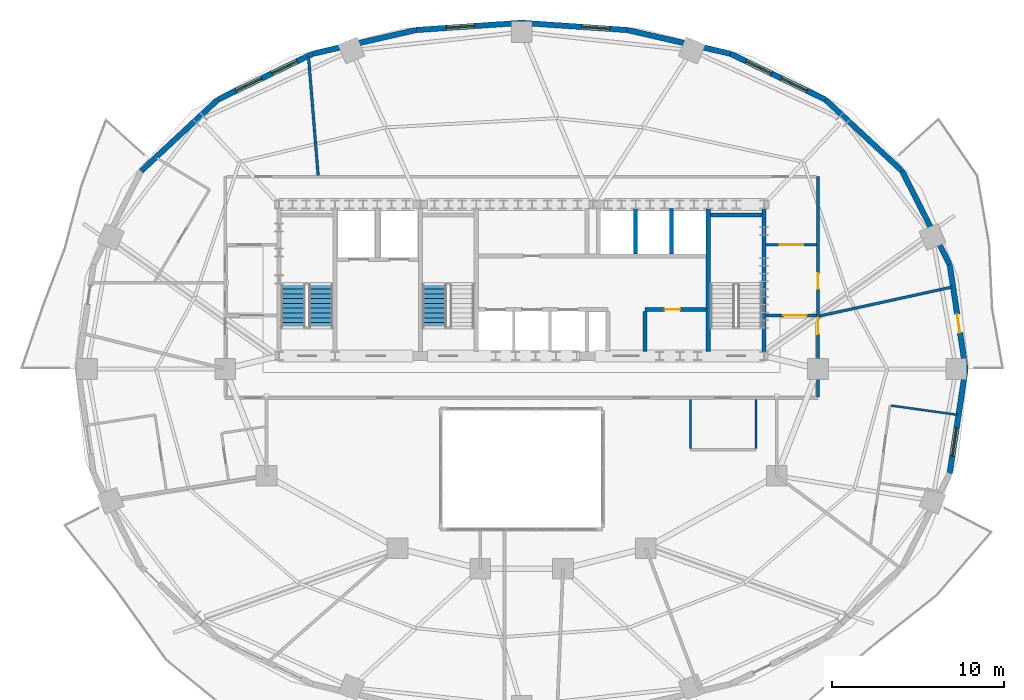
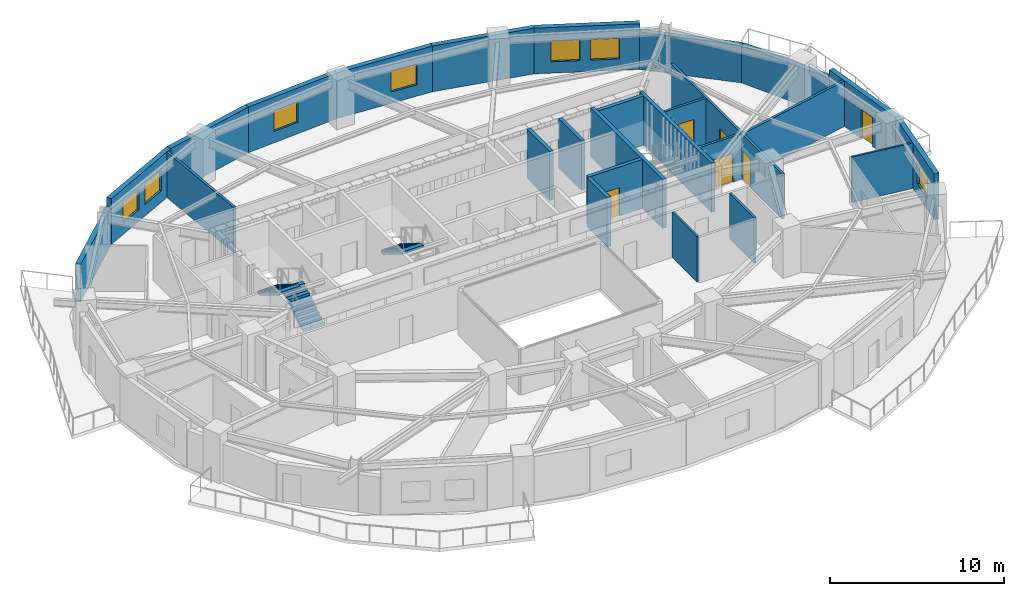
# One storey, part 8 of 12: 26 walls, 7 windows, 6 doors, 3 stair flights, 13 openings, 2 elements without a shape of their own.
"""IFC4 building model written with IfcOpenShell, lengths in metres."""

from ifc_helpers import new_model, si_unit, direction, frame, frame_2d, origin, place, context, subcontext, project, spatial, polyline, rectangle, outline, extrude, material, layer, layer_set, type_object, element, fill, aggregate, save


model = new_model("IFC4")

# Units and contexts
model_context = context("Model", 3, precision=1e-05, world=origin(), true_north=direction((0.0, 1.0)))
body_context = subcontext(model_context, "Body", "Model", "MODEL_VIEW")
ifc_project = project(units=[si_unit("LENGTHUNIT", "METRE"), si_unit("AREAUNIT", "SQUARE_METRE"), si_unit("VOLUMEUNIT", "CUBIC_METRE"), si_unit("PLANEANGLEUNIT", "RADIAN"), si_unit("MASSUNIT", "GRAM", prefix="KILO")], contexts=[model_context])

# Site, building, storey
site_placement = place(None, origin())
site = spatial("IfcSite", under=ifc_project, at=site_placement, CompositionType="ELEMENT")
building_placement = place(site_placement, origin())
building = spatial("IfcBuilding", under=site, at=building_placement, Name="Haldorwick Loom Tower", CompositionType="ELEMENT")
storey_placement = place(building_placement, frame((0.0, 0.0, 161.35009765625)))
storey = spatial("IfcBuildingStorey", under=building, at=storey_placement, Name="L43", CompositionType="ELEMENT", Elevation=161.35009765625)

# Wall, opening, door
ifc_material_1 = material(Name="Pressed Clay Face Brick and Insulated Masonry Backup Assembly", Category="masonry")
ifc_layer_1 = layer(ifc_material_1, 0.320068359375, Name="Pressed Clay Face Brick and Insulated Masonry Backup Assembly", Category="masonry")
ifc_layer_set_1 = layer_set([ifc_layer_1], Name="Pressed Clay Face Brick and Insulated Masonry Backup Assembly")
wall_type_1 = type_object("IfcWallType", Name="ARC-WL-EXT320", PredefinedType="STANDARD", material=ifc_layer_set_1)
wall_1_placement = place(storey_placement, frame((61.757080078125, 26.0, 0.0), z_axis=(0.0, 0.0, 1.0), x_axis=(-0.150544467684, 0.988603238539, 0.0)))
wall_1 = element("IfcWall", 1, at=wall_1_placement, inside=storey, type_object=wall_type_1, Name="L43 Brick Pier and Spandrel Wall 1", PredefinedType="STANDARD", context=body_context, shape_type="SweptSolid", body=[
    extrude(rectangle(XDim=6.125244140625, YDim=0.320068359375, at=frame_2d((3.0625, 0.0))), origin(), (0.0, 0.0, 1.0), 3.2099609375),
])
opening_1_placement = place(wall_1_placement, frame((2.1337890625, 0.0, 0.0)))
opening_1 = element("IfcOpeningElement", 2, at=opening_1_placement, cuts=wall_1, Name="Opening D-BL11", PredefinedType="OPENING", context=body_context, shape_type="SweptSolid", body=[
    extrude(rectangle(XDim=1.080078125, YDim=2.0400390625, at=frame_2d((0.5400390625, 1.02001953125))), frame((0.0, 0.169921875, 0.0), z_axis=(0.0, -1.0, 0.0), x_axis=(1.0, 0.0, 0.0)), (0.0, 0.0, 1.0), 0.340087890625),
])
ifc_material_2 = material(Name="Thermally Broken Anodized Aluminium Curtain Wall Framing", Category="aluminium")
door_type_1 = type_object("IfcDoorType", Name="ARC-DR-BAL110", OperationType="NOTDEFINED", PredefinedType="DOOR", material=ifc_material_2)
door_1_placement = place(opening_1_placement, origin())
door_1 = element("IfcDoor", 3, at=door_1_placement, inside=storey, type_object=door_type_1, Name="L43 Outdoor Terrace Door SLB-L43-BAL_ENE", OperationType="SINGLE_SWING_RIGHT", OverallHeight=2.0400390625, OverallWidth=1.080078125, PredefinedType="DOOR", context=body_context, shape_type="SweptSolid", body=[
    extrude(rectangle(XDim=1.080078125, YDim=2.0400390625, at=frame_2d((0.5400390625, 1.02001953125))), frame((0.0, 0.02490234375, 0.0), z_axis=(0.0, -1.0, 0.0), x_axis=(1.0, 0.0, 0.0)), (0.0, 0.0, 1.0), 0.050048828125),
])
fill(opening_1, door_1)

# Walls
wall_2_placement = place(storey_placement, frame((60.8349609375, 32.055419921875, 0.0), z_axis=(0.0, 0.0, 1.0), x_axis=(-0.453172129629, 0.89142303141, 0.0)))
element("IfcWall", 4, at=wall_2_placement, inside=storey, type_object=wall_type_1, Name="L43 Brick Pier and Spandrel Wall 2", PredefinedType="STANDARD", context=body_context, shape_type="SweptSolid", body=[
    extrude(rectangle(XDim=6.086669921875, YDim=0.320068359375, at=frame_2d((3.04345703125, 0.0))), origin(), (0.0, 0.0, 1.0), 2.640869140625),
])
wall_3_placement = place(storey_placement, frame((58.07666015625, 37.481201171875, 0.0), z_axis=(0.0, 0.0, 1.0), x_axis=(-0.732001571644, 0.681302942244, 0.0)))
element("IfcWall", 5, at=wall_3_placement, inside=storey, type_object=wall_type_1, Name="L43 Brick Pier and Spandrel Wall 3", PredefinedType="STANDARD", context=body_context, shape_type="SweptSolid", body=[
    extrude(rectangle(XDim=6.0869140625, YDim=0.320068359375, at=frame_2d((3.04345703125, 0.0))), origin(), (0.0, 0.0, 1.0), 2.640869140625),
])

# Wall, openings, windows
wall_4_placement = place(storey_placement, frame((53.62109375, 41.628173828125, 0.0), z_axis=(0.0, 0.0, 1.0), x_axis=(-0.900472429216, 0.43491309962, 0.0)))
wall_4 = element("IfcWall", 6, at=wall_4_placement, inside=storey, type_object=wall_type_1, Name="L43 Brick Pier and Spandrel Wall 4", PredefinedType="STANDARD", context=body_context, shape_type="SweptSolid", body=[
    extrude(rectangle(XDim=6.1181640625, YDim=0.320068359375, at=frame_2d((3.05908203125, 0.0))), origin(), (0.0, 0.0, 1.0), 3.2099609375),
])
opening_2_placement = place(wall_4_placement, frame((1.181884765625, 0.0, 0.800048828125)))
opening_2 = element("IfcOpeningElement", 7, at=opening_2_placement, cuts=wall_4, Name="Opening W-01B", PredefinedType="OPENING", context=body_context, shape_type="SweptSolid", body=[
    extrude(rectangle(XDim=1.64990234375, YDim=1.449951171875, at=frame_2d((0.824951171875, 0.72509765625))), frame((0.0, 0.169921875, 0.0), z_axis=(0.0, -1.0, 0.0), x_axis=(1.0, 0.0, 0.0)), (0.0, 0.0, 1.0), 0.340087890625),
])
opening_3_placement = place(wall_4_placement, frame((3.4580078125, 0.0, 0.800048828125)))
opening_3 = element("IfcOpeningElement", 8, at=opening_3_placement, cuts=wall_4, Name="Opening W-01B", PredefinedType="OPENING", context=body_context, shape_type="SweptSolid", body=[
    extrude(rectangle(XDim=1.64990234375, YDim=1.449951171875, at=frame_2d((0.824951171875, 0.72509765625))), frame((0.0, 0.169921875, 0.0), z_axis=(0.0, -1.0, 0.0), x_axis=(1.0, 0.0, 0.0)), (0.0, 0.0, 1.0), 0.340087890625),
])
ifc_material_3 = material(Name="Triple-Glazed Low-E Argon Insulated Glazing Unit", Category="glass")
window_type = type_object("IfcWindowType", Name="ARC-WIN-W165", PartitioningType="SINGLE_PANEL", PredefinedType="WINDOW", material=ifc_material_3)
window_1_placement = place(opening_2_placement, origin())
window_1 = element("IfcWindow", 9, at=window_1_placement, inside=storey, type_object=window_type, Name="L43 Deep-Set Zone 7A Window 4", OverallHeight=1.449951171875, OverallWidth=1.64990234375, PartitioningType="SINGLE_PANEL", PredefinedType="WINDOW", context=body_context, shape_type="SweptSolid", body=[
    extrude(rectangle(XDim=1.64990234375, YDim=1.449951171875, at=frame_2d((0.824951171875, 0.72509765625))), frame((0.0, 0.030029296875, 0.0), z_axis=(0.0, -1.0, 0.0), x_axis=(1.0, 0.0, 0.0)), (0.0, 0.0, 1.0), 0.06005859375),
])
fill(opening_2, window_1)
window_2_placement = place(opening_3_placement, origin())
window_2 = element("IfcWindow", 10, at=window_2_placement, inside=storey, type_object=window_type, Name="L43 Deep-Set Zone 7A Window 4", OverallHeight=1.449951171875, OverallWidth=1.64990234375, PartitioningType="SINGLE_PANEL", PredefinedType="WINDOW", context=body_context, shape_type="SweptSolid", body=[
    extrude(rectangle(XDim=1.64990234375, YDim=1.449951171875, at=frame_2d((0.824951171875, 0.72509765625))), frame((0.0, 0.030029296875, 0.0), z_axis=(0.0, -1.0, 0.0), x_axis=(1.0, 0.0, 0.0)), (0.0, 0.0, 1.0), 0.06005859375),
])
fill(opening_3, window_2)

# Wall
wall_5_placement = place(storey_placement, frame((48.11181640625, 44.2890625, 0.0), z_axis=(0.0, 0.0, 1.0), x_axis=(-0.974593223547, 0.223982250674, 0.0)))
element("IfcWall", 11, at=wall_5_placement, inside=storey, type_object=wall_type_1, Name="L43 Brick Pier and Spandrel Wall 5", PredefinedType="STANDARD", context=body_context, shape_type="SweptSolid", body=[
    extrude(rectangle(XDim=6.138916015625, YDim=0.320068359375, at=frame_2d((3.0693359375, 0.0))), origin(), (0.0, 0.0, 1.0), 3.2099609375),
])

# Wall, opening, window
wall_6_placement = place(storey_placement, frame((42.12890625, 45.6640625, 0.0), z_axis=(0.0, 0.0, 1.0), x_axis=(-0.997652942988, 0.068473391522, 0.0)))
wall_6 = element("IfcWall", 12, at=wall_6_placement, inside=storey, type_object=wall_type_1, Name="L43 Brick Pier and Spandrel Wall 6", PredefinedType="STANDARD", context=body_context, shape_type="SweptSolid", body=[
    extrude(rectangle(XDim=6.143310546875, YDim=0.320068359375, at=frame_2d((3.07177734375, 0.0))), origin(), (0.0, 0.0, 1.0), 3.2099609375),
])
opening_4_placement = place(wall_6_placement, frame((1.01806640625, 0.0, 0.800048828125)))
opening_4 = element("IfcOpeningElement", 13, at=opening_4_placement, cuts=wall_6, Name="Opening W-01B", PredefinedType="OPENING", context=body_context, shape_type="SweptSolid", body=[
    extrude(rectangle(XDim=1.64990234375, YDim=1.449951171875, at=frame_2d((0.824951171875, 0.72509765625))), frame((0.0, 0.169921875, 0.0), z_axis=(0.0, -1.0, 0.0), x_axis=(1.0, 0.0, 0.0)), (0.0, 0.0, 1.0), 0.340087890625),
])
window_3_placement = place(opening_4_placement, origin())
window_3 = element("IfcWindow", 14, at=window_3_placement, inside=storey, type_object=window_type, Name="L43 Deep-Set Zone 7A Window 6", OverallHeight=1.449951171875, OverallWidth=1.64990234375, PartitioningType="SINGLE_PANEL", PredefinedType="WINDOW", context=body_context, shape_type="SweptSolid", body=[
    extrude(rectangle(XDim=1.64990234375, YDim=1.449951171875, at=frame_2d((0.824951171875, 0.72509765625))), frame((0.0, 0.030029296875, 0.0), z_axis=(0.0, -1.0, 0.0), x_axis=(1.0, 0.0, 0.0)), (0.0, 0.0, 1.0), 0.06005859375),
])
fill(opening_4, window_3)

wall_7_placement = place(storey_placement, frame((36.0, 46.084716796875, 0.0), z_axis=(0.0, 0.0, 1.0), x_axis=(-0.997652942988, -0.068473391522, 0.0)))
wall_7 = element("IfcWall", 15, at=wall_7_placement, inside=storey, type_object=wall_type_1, Name="L43 Brick Pier and Spandrel Wall 7", PredefinedType="STANDARD", context=body_context, shape_type="SweptSolid", body=[
    extrude(rectangle(XDim=6.143310546875, YDim=0.320068359375, at=frame_2d((3.07177734375, 0.0))), origin(), (0.0, 0.0, 1.0), 3.2099609375),
])
opening_5_placement = place(wall_7_placement, frame((2.723388671875, 0.0, 0.800048828125)))
opening_5 = element("IfcOpeningElement", 16, at=opening_5_placement, cuts=wall_7, Name="Opening W-01B", PredefinedType="OPENING", context=body_context, shape_type="SweptSolid", body=[
    extrude(rectangle(XDim=1.64990234375, YDim=1.449951171875, at=frame_2d((0.824951171875, 0.72509765625))), frame((0.0, 0.169921875, 0.0), z_axis=(0.0, -1.0, 0.0), x_axis=(1.0, 0.0, 0.0)), (0.0, 0.0, 1.0), 0.340087890625),
])
window_4_placement = place(opening_5_placement, origin())
window_4 = element("IfcWindow", 17, at=window_4_placement, inside=storey, type_object=window_type, Name="L43 Deep-Set Zone 7A Window 7", OverallHeight=1.449951171875, OverallWidth=1.64990234375, PartitioningType="SINGLE_PANEL", PredefinedType="WINDOW", context=body_context, shape_type="SweptSolid", body=[
    extrude(rectangle(XDim=1.64990234375, YDim=1.449951171875, at=frame_2d((0.824951171875, 0.72509765625))), frame((0.0, 0.030029296875, 0.0), z_axis=(0.0, -1.0, 0.0), x_axis=(1.0, 0.0, 0.0)), (0.0, 0.0, 1.0), 0.06005859375),
])
fill(opening_5, window_4)

# Wall
wall_8_placement = place(storey_placement, frame((29.87109375, 45.6640625, 0.0), z_axis=(0.0, 0.0, 1.0), x_axis=(-0.974593223547, -0.223982250674, 0.0)))
element("IfcWall", 18, at=wall_8_placement, inside=storey, type_object=wall_type_1, Name="L43 Brick Pier and Spandrel Wall 8", PredefinedType="STANDARD", context=body_context, shape_type="SweptSolid", body=[
    extrude(rectangle(XDim=6.138916015625, YDim=0.320068359375, at=frame_2d((3.0693359375, 0.0))), origin(), (0.0, 0.0, 1.0), 3.2099609375),
])

# Wall, openings, windows
wall_9_placement = place(storey_placement, frame((23.88818359375, 44.2890625, 0.0), z_axis=(0.0, 0.0, 1.0), x_axis=(-0.900479976617, -0.434897472644, 0.0)))
wall_9 = element("IfcWall", 19, at=wall_9_placement, inside=storey, type_object=wall_type_1, Name="L43 Brick Pier and Spandrel Wall 9", PredefinedType="STANDARD", context=body_context, shape_type="SweptSolid", body=[
    extrude(rectangle(XDim=6.118408203125, YDim=0.320068359375, at=frame_2d((3.05908203125, 0.0))), origin(), (0.0, 0.0, 1.0), 3.2099609375),
])
opening_6_placement = place(wall_9_placement, frame((1.010498046875, 0.0, 0.800048828125)))
opening_6 = element("IfcOpeningElement", 20, at=opening_6_placement, cuts=wall_9, Name="Opening W-01B", PredefinedType="OPENING", context=body_context, shape_type="SweptSolid", body=[
    extrude(rectangle(XDim=1.64990234375, YDim=1.449951171875, at=frame_2d((0.824951171875, 0.72509765625))), frame((0.0, 0.169921875, 0.0), z_axis=(0.0, -1.0, 0.0), x_axis=(1.0, 0.0, 0.0)), (0.0, 0.0, 1.0), 0.340087890625),
])
opening_7_placement = place(wall_9_placement, frame((3.28662109375, 0.0, 0.800048828125)))
opening_7 = element("IfcOpeningElement", 21, at=opening_7_placement, cuts=wall_9, Name="Opening W-01B", PredefinedType="OPENING", context=body_context, shape_type="SweptSolid", body=[
    extrude(rectangle(XDim=1.64990234375, YDim=1.449951171875, at=frame_2d((0.824951171875, 0.72509765625))), frame((0.0, 0.169921875, 0.0), z_axis=(0.0, -1.0, 0.0), x_axis=(1.0, 0.0, 0.0)), (0.0, 0.0, 1.0), 0.340087890625),
])
window_5_placement = place(opening_6_placement, origin())
window_5 = element("IfcWindow", 22, at=window_5_placement, inside=storey, type_object=window_type, Name="L43 Deep-Set Zone 7A Window 9", OverallHeight=1.449951171875, OverallWidth=1.64990234375, PartitioningType="SINGLE_PANEL", PredefinedType="WINDOW", context=body_context, shape_type="SweptSolid", body=[
    extrude(rectangle(XDim=1.64990234375, YDim=1.449951171875, at=frame_2d((0.824951171875, 0.72509765625))), frame((0.0, 0.030029296875, 0.0), z_axis=(0.0, -1.0, 0.0), x_axis=(1.0, 0.0, 0.0)), (0.0, 0.0, 1.0), 0.06005859375),
])
fill(opening_6, window_5)
window_6_placement = place(opening_7_placement, origin())
window_6 = element("IfcWindow", 23, at=window_6_placement, inside=storey, type_object=window_type, Name="L43 Deep-Set Zone 7A Window 9", OverallHeight=1.449951171875, OverallWidth=1.64990234375, PartitioningType="SINGLE_PANEL", PredefinedType="WINDOW", context=body_context, shape_type="SweptSolid", body=[
    extrude(rectangle(XDim=1.64990234375, YDim=1.449951171875, at=frame_2d((0.824951171875, 0.72509765625))), frame((0.0, 0.030029296875, 0.0), z_axis=(0.0, -1.0, 0.0), x_axis=(1.0, 0.0, 0.0)), (0.0, 0.0, 1.0), 0.06005859375),
])
fill(opening_7, window_6)

# Wall
wall_10_placement = place(storey_placement, frame((18.378662109375, 41.628173828125, 0.0), z_axis=(0.0, 0.0, 1.0), x_axis=(-0.731982952968, -0.681322945866, 0.0)))
element("IfcWall", 24, at=wall_10_placement, inside=storey, type_object=wall_type_1, Name="L43 Brick Pier and Spandrel Wall 10", PredefinedType="STANDARD", context=body_context, shape_type="SweptSolid", body=[
    extrude(rectangle(XDim=6.086669921875, YDim=0.320068359375, at=frame_2d((3.04345703125, 0.0))), origin(), (0.0, 0.0, 1.0), 2.640869140625),
])

# Wall, opening, window
wall_11_placement = place(storey_placement, frame((60.8349609375, 19.944580078125, 0.0), z_axis=(0.0, 0.0, 1.0), x_axis=(0.150544467684, 0.988603238539, 0.0)))
wall_11 = element("IfcWall", 25, at=wall_11_placement, inside=storey, type_object=wall_type_1, Name="L43 Brick Pier and Spandrel Wall 24", PredefinedType="STANDARD", context=body_context, shape_type="SweptSolid", body=[
    extrude(rectangle(XDim=6.125244140625, YDim=0.320068359375, at=frame_2d((3.0625, 0.0))), origin(), (0.0, 0.0, 1.0), 3.2099609375),
])
opening_8_placement = place(wall_11_placement, frame((1.0126953125, 0.0, 0.800048828125)))
opening_8 = element("IfcOpeningElement", 26, at=opening_8_placement, cuts=wall_11, Name="Opening W-01B", PredefinedType="OPENING", context=body_context, shape_type="SweptSolid", body=[
    extrude(rectangle(XDim=1.64990234375, YDim=1.449951171875, at=frame_2d((0.824951171875, 0.72509765625))), frame((0.0, 0.169921875, 0.0), z_axis=(0.0, -1.0, 0.0), x_axis=(1.0, 0.0, 0.0)), (0.0, 0.0, 1.0), 0.340087890625),
])
window_7_placement = place(opening_8_placement, origin())
window_7 = element("IfcWindow", 27, at=window_7_placement, inside=storey, type_object=window_type, Name="L43 Deep-Set Zone 7A Window 24", OverallHeight=1.449951171875, OverallWidth=1.64990234375, PartitioningType="SINGLE_PANEL", PredefinedType="WINDOW", context=body_context, shape_type="SweptSolid", body=[
    extrude(rectangle(XDim=1.64990234375, YDim=1.449951171875, at=frame_2d((0.824951171875, 0.72509765625))), frame((0.0, 0.030029296875, 0.0), z_axis=(0.0, -1.0, 0.0), x_axis=(1.0, 0.0, 0.0)), (0.0, 0.0, 1.0), 0.06005859375),
])
fill(opening_8, window_7)

# Wall, openings, doors
ifc_material_4 = material(Name="Fire-Rated Type X Gypsum Stud Assembly EI 60")
ifc_layer_2 = layer(ifc_material_4, 0.159912109375, Name="Fire-Rated Type X Gypsum Stud Assembly EI 60")
ifc_layer_set_2 = layer_set([ifc_layer_2], Name="Fire-Rated Type X Gypsum Stud Assembly EI 60")
wall_type_2 = type_object("IfcWallType", Name="ARC-WL-FIRE160", PredefinedType="PARTITIONING", material=ifc_layer_set_2)
wall_12_placement = place(storey_placement, frame((53.199951171875, 24.383056640625, 0.0), z_axis=(0.0, 0.0, 1.0), x_axis=(0.0, 1.0, 0.0)))
wall_12 = element("IfcWall", 28, at=wall_12_placement, inside=storey, type_object=wall_type_2, Name="L43 Residential Fire Partition L43-CR-E0", PredefinedType="PARTITIONING", context=body_context, shape_type="SweptSolid", body=[
    extrude(rectangle(XDim=12.766845703125, YDim=0.159912109375, at=frame_2d((6.38330078125, 0.0))), origin(), (0.0, 0.0, 1.0), 3.19482421875),
])
opening_9_placement = place(wall_12_placement, frame((3.63232421875, 0.0, 0.0)))
opening_9 = element("IfcOpeningElement", 29, at=opening_9_placement, cuts=wall_12, Name="Opening D-FL95", PredefinedType="OPENING", context=body_context, shape_type="SweptSolid", body=[
    extrude(rectangle(XDim=0.949951171875, YDim=2.0400390625, at=frame_2d((0.47509765625, 1.02001953125))), frame((0.0, 0.08984375, 0.0), z_axis=(0.0, -1.0, 0.0), x_axis=(1.0, 0.0, 0.0)), (0.0, 0.0, 1.0), 0.179931640625),
])
opening_10_placement = place(wall_12_placement, frame((6.263671875, 0.0, 0.0)))
opening_10 = element("IfcOpeningElement", 30, at=opening_10_placement, cuts=wall_12, Name="Opening D-FD60A", PredefinedType="OPENING", context=body_context, shape_type="SweptSolid", body=[
    extrude(rectangle(XDim=0.89990234375, YDim=2.0, at=frame_2d((0.449951171875, 1.0))), frame((0.0, 0.08984375, 0.0), z_axis=(0.0, -1.0, 0.0), x_axis=(1.0, 0.0, 0.0)), (0.0, 0.0, 1.0), 0.179931640625),
])
ifc_material_5 = material(Name="Hollow Steel Fire Door Assembly", Category="steel")
door_type_2 = type_object("IfcDoorType", Name="ARC-DR-FD60-90", OperationType="NOTDEFINED", PredefinedType="DOOR", material=ifc_material_5)
door_2_placement = place(opening_10_placement, frame((0.89990234375, 0.0, 0.0), z_axis=(0.0, 0.0, 1.0), x_axis=(-1.0, 0.0, 0.0)))
door_2 = element("IfcDoor", 31, at=door_2_placement, inside=storey, type_object=door_type_2, Name="L43 L43 East Residential Corridor to Co-Working Open Office 7 Door", OperationType="SINGLE_SWING_RIGHT", OverallHeight=2.0, OverallWidth=0.89990234375, PredefinedType="DOOR", context=body_context, shape_type="SweptSolid", body=[
    extrude(rectangle(XDim=0.89990234375, YDim=2.0, at=frame_2d((0.449951171875, 1.0))), frame((0.0, 0.02490234375, 0.0), z_axis=(0.0, -1.0, 0.0), x_axis=(1.0, 0.0, 0.0)), (0.0, 0.0, 1.0), 0.050048828125),
])
fill(opening_10, door_2)
ifc_material_6 = material(Name="Solid Core Birch Architectural Door")
door_type_3 = type_object("IfcDoorType", Name="ARC-DR-FLAT95", OperationType="NOTDEFINED", PredefinedType="DOOR", material=ifc_material_6)
door_3_placement = place(opening_9_placement, origin())
door_3 = element("IfcDoor", 32, at=door_3_placement, inside=storey, type_object=door_type_3, Name="L43 L43 Central Residential Corridor to Unit 43C Kitchen and Penthouse L", OperationType="SINGLE_SWING_LEFT", OverallHeight=2.0400390625, OverallWidth=0.949951171875, PredefinedType="DOOR", context=body_context, shape_type="SweptSolid", body=[
    extrude(rectangle(XDim=0.949951171875, YDim=2.0400390625, at=frame_2d((0.47509765625, 1.02001953125))), frame((0.0, 0.02490234375, 0.0), z_axis=(0.0, -1.0, 0.0), x_axis=(1.0, 0.0, 0.0)), (0.0, 0.0, 1.0), 0.050048828125),
])
fill(opening_9, door_3)

# Wall, opening, door
wall_13_placement = place(storey_placement, frame((50.193115234375, 29.10009765625, 0.0), z_axis=(0.0, 0.0, 1.0), x_axis=(1.0, 0.0, 0.0)))
wall_13 = element("IfcWall", 33, at=wall_13_placement, inside=storey, type_object=wall_type_2, Name="L43 Residential Fire Partition L43-CR-ESJ", PredefinedType="PARTITIONING", context=body_context, shape_type="SweptSolid", body=[
    extrude(rectangle(XDim=2.923828125, YDim=0.159912109375, at=frame_2d((1.4619140625, 0.0))), origin(), (0.0, 0.0, 1.0), 3.19482421875),
])
opening_11_placement = place(wall_13_placement, frame((0.99560546875, 0.0, 0.0)))
opening_11 = element("IfcOpeningElement", 34, at=opening_11_placement, cuts=wall_13, Name="Opening D-CR15", PredefinedType="OPENING", context=body_context, shape_type="SweptSolid", body=[
    extrude(rectangle(XDim=1.35009765625, YDim=2.0, at=frame_2d((0.675048828125, 1.0))), frame((0.0, 0.08984375, 0.0), z_axis=(0.0, -1.0, 0.0), x_axis=(1.0, 0.0, 0.0)), (0.0, 0.0, 1.0), 0.179931640625),
])
ifc_material_7 = material(Name="Thermally Broken Anodized Aluminium and Tempered Glass", Category="aluminium")
door_type_4 = type_object("IfcDoorType", Name="ARC-DR-COR150", OperationType="NOTDEFINED", PredefinedType="DOOR", material=ifc_material_7)
door_4_placement = place(opening_11_placement, origin())
door_4 = element("IfcDoor", 35, at=door_4_placement, inside=storey, type_object=door_type_4, Name="L43 L43 East Residential Corridor to L43 Central Residential Corridor Do", OperationType="DOUBLE_DOOR_SINGLE_SWING", OverallHeight=2.0, OverallWidth=1.35009765625, PredefinedType="DOOR", context=body_context, shape_type="SweptSolid", body=[
    extrude(rectangle(XDim=1.35009765625, YDim=2.0, at=frame_2d((0.675048828125, 1.0))), frame((0.0, 0.02490234375, 0.0), z_axis=(0.0, -1.0, 0.0), x_axis=(1.0, 0.0, 0.0)), (0.0, 0.0, 1.0), 0.050048828125),
])
fill(opening_11, door_4)

wall_14_placement = place(storey_placement, frame((50.193115234375, 33.199951171875, 0.0), z_axis=(0.0, 0.0, 1.0), x_axis=(1.0, 0.0, 0.0)))
wall_14 = element("IfcWall", 36, at=wall_14_placement, inside=storey, type_object=wall_type_2, Name="L43 Residential Fire Partition L43-CR-ENJ", PredefinedType="PARTITIONING", context=body_context, shape_type="SweptSolid", body=[
    extrude(rectangle(XDim=2.923828125, YDim=0.159912109375, at=frame_2d((1.4619140625, 0.0))), origin(), (0.0, 0.0, 1.0), 3.19482421875),
])
opening_12_placement = place(wall_14_placement, frame((0.787109375, 0.0, 0.0)))
opening_12 = element("IfcOpeningElement", 37, at=opening_12_placement, cuts=wall_14, Name="Opening D-CR15", PredefinedType="OPENING", context=body_context, shape_type="SweptSolid", body=[
    extrude(rectangle(XDim=1.35009765625, YDim=2.0, at=frame_2d((0.675048828125, 1.0))), frame((0.0, 0.08984375, 0.0), z_axis=(0.0, -1.0, 0.0), x_axis=(1.0, 0.0, 0.0)), (0.0, 0.0, 1.0), 0.179931640625),
])
door_5_placement = place(opening_12_placement, origin())
door_5 = element("IfcDoor", 38, at=door_5_placement, inside=storey, type_object=door_type_4, Name="L43 L43 North Residential Corridor to L43 East Residential Corridor Door", OperationType="DOUBLE_DOOR_SINGLE_SWING", OverallHeight=2.0, OverallWidth=1.35009765625, PredefinedType="DOOR", context=body_context, shape_type="SweptSolid", body=[
    extrude(rectangle(XDim=1.35009765625, YDim=2.0, at=frame_2d((0.675048828125, 1.0))), frame((0.0, 0.02490234375, 0.0), z_axis=(0.0, -1.0, 0.0), x_axis=(1.0, 0.0, 0.0)), (0.0, 0.0, 1.0), 0.050048828125),
])
fill(opening_12, door_5)

# Walls
wall_15_placement = place(storey_placement, frame((24.193359375, 37.23291015625, 0.0), z_axis=(0.0, 0.0, 1.0), x_axis=(-0.08081206035, 0.996729356898, 0.0)))
element("IfcWall", 39, at=wall_15_placement, inside=storey, type_object=wall_type_2, Name="L43 Residential Fire Partition L43-UPN-13", PredefinedType="PARTITIONING", context=body_context, shape_type="SweptSolid", body=[
    extrude(rectangle(XDim=6.885009765625, YDim=0.159912109375, at=frame_2d((3.4423828125, 0.0))), origin(), (0.0, 0.0, 1.0), 3.19482421875),
])
wall_16_placement = place(storey_placement, frame((53.282958984375, 29.06884765625, 0.0), z_axis=(0.0, 0.0, 1.0), x_axis=(0.976931186981, 0.213554339463, 0.0)))
element("IfcWall", 40, at=wall_16_placement, inside=storey, type_object=wall_type_2, Name="L43 Suite Split Wall", PredefinedType="PARTITIONING", context=body_context, shape_type="SweptSolid", body=[
    extrude(rectangle(XDim=7.866455078125, YDim=0.159912109375, at=frame_2d((3.93310546875, 0.0))), origin(), (0.0, 0.0, 1.0), 3.19482421875),
])
ifc_material_8 = material(Name="Acoustic Gypsum Stud Assembly STC 55")
ifc_layer_3 = layer(ifc_material_8, 0.1201171875, Name="Acoustic Gypsum Stud Assembly STC 55")
ifc_layer_set_3 = layer_set([ifc_layer_3], Name="Acoustic Gypsum Stud Assembly STC 55")
wall_type_3 = type_object("IfcWallType", Name="ARC-WL-PART120", PredefinedType="PARTITIONING", material=ifc_layer_set_3)
wall_17_placement = place(storey_placement, frame((57.440185546875, 23.872802734375, 0.0), z_axis=(0.0, 0.0, 1.0), x_axis=(0.990438888991, -0.137952191623, 0.0)))
element("IfcWall", 41, at=wall_17_placement, inside=storey, type_object=wall_type_3, Name="L43 Unit 43C Interior Partition", PredefinedType="PARTITIONING", context=body_context, shape_type="SweptSolid", body=[
    extrude(rectangle(XDim=3.8828125, YDim=0.1201171875, at=frame_2d((1.94140625, 0.0))), origin(), (0.0, 0.0, 1.0), 3.19482421875),
])
ifc_layer_4 = layer(ifc_material_4, 0.139892578125, Name="Fire-Rated Type X Gypsum Stud Assembly EI 60")
ifc_layer_set_4 = layer_set([ifc_layer_4], Name="Fire-Rated Type X Gypsum Stud Assembly EI 60")
wall_type_4 = type_object("IfcWallType", Name="ARC-WL-PART140", PredefinedType="PARTITIONING", material=ifc_layer_set_4)
for number, where, z_axis, x_axis, name in (
    (42, (45.800048828125, 21.373046875, 0.0), (0.0, 0.0, 1.0), (0.0, 1.0, 0.0), "L43 Residential Fire Partition L43-CWC-W"),
    (43, (49.60009765625, 21.373046875, 0.0), (0.0, 0.0, 1.0), (0.0, 1.0, 0.0), "L43 Residential Fire Partition L43-CWC-E"),
):
    element("IfcWall", number, at=place(storey_placement, frame(where, z_axis=z_axis, x_axis=x_axis)), inside=storey, type_object=wall_type_4, Name=name, PredefinedType="PARTITIONING", context=body_context, shape_type="SweptSolid", body=[
        extrude(rectangle(XDim=2.843994140625, YDim=0.139892578125, at=frame_2d((1.421875, 0.0))), origin(), (0.0, 0.0, 1.0), 3.19482421875),
    ])
ifc_material_9 = material(Name="Concrete C50 (50 MPa)", Category="concrete")
ifc_layer_5 = layer(ifc_material_9, 0.239990234375, Name="Concrete C50 (50 MPa)", Category="concrete")
ifc_layer_set_5 = layer_set([ifc_layer_5], Name="Concrete C50 (50 MPa)")
wall_type_5 = type_object("IfcWallType", Name="STR-WL-SHAFT240", PredefinedType="SHEAR", material=ifc_layer_set_5)
for number, where, z_axis, x_axis, name in (
    (44, (50.070068359375, 27.0029296875, 0.0), (0.0, 0.0, 1.0), (0.0, 1.0, 0.0), "L43 Core Shear Wall E"),
    (45, (46.830078125, 27.0029296875, 0.0), (0.0, 0.0, 1.0), (0.0, 1.0, 0.0), "L43 Core Shear Wall 4"),
):
    element("IfcWall", number, at=place(storey_placement, frame(where, z_axis=z_axis, x_axis=x_axis)), inside=storey, type_object=wall_type_5, Name=name, PredefinedType="SHEAR", context=body_context, shape_type="SweptSolid", body=[
        extrude(rectangle(XDim=8.294189453125, YDim=0.239990234375, at=frame_2d((4.14697265625, 0.0))), origin(), (0.0, 0.0, 1.0), 3.449951171875),
    ])
wall_18_placement = place(storey_placement, frame((46.952880859375, 34.919921875, 0.0), z_axis=(0.0, 0.0, 1.0), x_axis=(1.0, 0.0, 0.0)))
element("IfcWall", 46, at=wall_18_placement, inside=storey, type_object=wall_type_5, Name="L43 Core Shear Wall 4N", PredefinedType="SHEAR", context=body_context, shape_type="SweptSolid", body=[
    extrude(rectangle(XDim=2.994140625, YDim=0.239990234375, at=frame_2d((1.4970703125, 0.0))), origin(), (0.0, 0.0, 1.0), 3.449951171875),
])

# Wall, opening, door
wall_19_placement = place(storey_placement, frame((43.14990234375, 29.449951171875, 0.0), z_axis=(0.0, 0.0, 1.0), x_axis=(1.0, 0.0, 0.0)))
wall_19 = element("IfcWall", 47, at=wall_19_placement, inside=storey, type_object=wall_type_5, Name="L43 Core Shear Wall LS2", PredefinedType="SHEAR", context=body_context, shape_type="SweptSolid", body=[
    extrude(rectangle(XDim=3.55712890625, YDim=0.239990234375, at=frame_2d((1.778564453125, 0.0))), origin(), (0.0, 0.0, 1.0), 3.449951171875),
])
opening_13_placement = place(wall_19_placement, frame((1.14990234375, 0.0, 0.0)))
opening_13 = element("IfcOpeningElement", 48, at=opening_13_placement, cuts=wall_19, Name="Opening D-FD60A", PredefinedType="OPENING", context=body_context, shape_type="SweptSolid", body=[
    extrude(rectangle(XDim=0.89990234375, YDim=2.0, at=frame_2d((0.449951171875, 1.0))), frame((0.0, 0.1298828125, 0.0), z_axis=(0.0, -1.0, 0.0), x_axis=(1.0, 0.0, 0.0)), (0.0, 0.0, 1.0), 0.260009765625),
])
door_6_placement = place(opening_13_placement, origin())
door_6 = element("IfcDoor", 49, at=door_6_placement, inside=storey, type_object=door_type_2, Name="L43 Electrical Metering Door", OperationType="SINGLE_SWING_LEFT", OverallHeight=2.0, OverallWidth=0.89990234375, PredefinedType="DOOR", context=body_context, shape_type="SweptSolid", body=[
    extrude(rectangle(XDim=0.89990234375, YDim=2.0, at=frame_2d((0.449951171875, 1.0))), frame((0.0, 0.02490234375, 0.0), z_axis=(0.0, -1.0, 0.0), x_axis=(1.0, 0.0, 0.0)), (0.0, 0.0, 1.0), 0.050048828125),
])
fill(opening_13, door_6)

# Walls
wall_20_placement = place(storey_placement, frame((43.14990234375, 27.0029296875, 0.0), z_axis=(0.0, 0.0, 1.0), x_axis=(0.0, 1.0, 0.0)))
element("IfcWall", 50, at=wall_20_placement, inside=storey, type_object=wall_type_5, Name="L43 Core Shear Wall THE", PredefinedType="SHEAR", context=body_context, shape_type="SweptSolid", body=[
    extrude(rectangle(XDim=2.323974609375, YDim=0.239990234375, at=frame_2d((1.162109375, 0.0))), origin(), (0.0, 0.0, 1.0), 3.449951171875),
])
for number, where, z_axis, x_axis, name in (
    (51, (42.60009765625, 32.673095703125, 0.0), (0.0, 0.0, 1.0), (0.0, 1.0, 0.0), "L43 Core Shear Wall H1"),
    (52, (44.699951171875, 32.673095703125, 0.0), (0.0, 0.0, 1.0), (0.0, 1.0, 0.0), "L43 Core Shear Wall H2"),
):
    element("IfcWall", number, at=place(storey_placement, frame(where, z_axis=z_axis, x_axis=x_axis)), inside=storey, type_object=wall_type_5, Name=name, PredefinedType="SHEAR", context=body_context, shape_type="SweptSolid", body=[
        extrude(rectangle(XDim=2.6240234375, YDim=0.239990234375, at=frame_2d((1.31201171875, 0.0))), origin(), (0.0, 0.0, 1.0), 3.449951171875),
    ])

# Stair, stair flights
ifc_material_10 = material(Name="Concrete C40 (40 MPa)", Category="concrete")
stair_type = type_object("IfcStairType", Name="STR-STR-CORE", PredefinedType="HALF_TURN_STAIR", material=ifc_material_10)
stair_1_placement = place(storey_placement, origin())
stair_1 = element("IfcStair", 53, at=stair_1_placement, inside=storey, type_object=stair_type, Name="L43 Exit Stair ST-01", PredefinedType="HALF_TURN_STAIR")
stair_flight_type = type_object("IfcStairFlightType", Name="STR-STF-1250", PredefinedType="STRAIGHT", material=ifc_material_10)
stair_flight_1_placement = place(storey_placement, frame((24.35009765625, 28.39990234375, 0.0), z_axis=(0.0, 0.0, 1.0), x_axis=(0.0, 1.0, 0.0)))
stair_flight_1 = element("IfcStairFlight", 54, at=stair_flight_1_placement, type_object=stair_flight_type, Name="ST-01 flight 1", NumberOfRisers=10, NumberOfTreads=9, PredefinedType="STRAIGHT", RiserHeight=0.1725, TreadLength=0.28, context=body_context, shape_type="SweptSolid", body=[
    extrude(outline(polyline([(0.0, 0.0), (0.0, 0.172607421875), (0.280029296875, 0.172607421875), (0.280029296875, 0.344970703125), (0.56005859375, 0.344970703125), (0.56005859375, 0.517578125), (0.840087890625, 0.517578125), (0.840087890625, 0.68994140625), (1.1201171875, 0.68994140625), (1.1201171875, 0.862548828125), (1.39990234375, 0.862548828125), (1.39990234375, 1.034912109375), (1.679931640625, 1.034912109375), (1.679931640625, 1.20751953125), (1.9599609375, 1.20751953125), (1.9599609375, 1.3798828125), (2.239990234375, 1.3798828125), (2.239990234375, 1.552490234375), (2.52001953125, 1.552490234375), (2.52001953125, 1.72509765625), (2.52001953125, 1.37646484375), (0.285888671875, 0.0), (0.0, 0.0)])), frame((0.0, 0.699951171875, 0.0), z_axis=(0.0, -1.0, 0.0), x_axis=(1.0, 0.0, 0.0)), (0.0, 0.0, 1.0), 1.39990234375),
])
stair_flight_2_placement = place(storey_placement, frame((22.75, 30.919921875, 1.724853515625), z_axis=(0.0, 0.0, 1.0), x_axis=(0.0, -1.0, 0.0)))
stair_flight_2 = element("IfcStairFlight", 55, at=stair_flight_2_placement, type_object=stair_flight_type, Name="ST-01 flight 2", NumberOfRisers=10, NumberOfTreads=9, PredefinedType="STRAIGHT", RiserHeight=0.1725, TreadLength=0.28, context=body_context, shape_type="SweptSolid", body=[
    extrude(outline(polyline([(0.0, 0.0), (0.0, 0.172607421875), (0.280029296875, 0.172607421875), (0.280029296875, 0.344970703125), (0.56005859375, 0.344970703125), (0.56005859375, 0.517578125), (0.840087890625, 0.517578125), (0.840087890625, 0.68994140625), (1.1201171875, 0.68994140625), (1.1201171875, 0.862548828125), (1.39990234375, 0.862548828125), (1.39990234375, 1.034912109375), (1.679931640625, 1.034912109375), (1.679931640625, 1.20751953125), (1.9599609375, 1.20751953125), (1.9599609375, 1.3798828125), (2.239990234375, 1.3798828125), (2.239990234375, 1.552490234375), (2.52001953125, 1.552490234375), (2.52001953125, 1.72509765625), (2.52001953125, 1.37646484375), (0.285888671875, 0.0), (0.0, 0.0)])), frame((0.0, 0.699951171875, 0.0), z_axis=(0.0, -1.0, 0.0), x_axis=(1.0, 0.0, 0.0)), (0.0, 0.0, 1.0), 1.39990234375),
])
aggregate(stair_1, [stair_flight_1, stair_flight_2])

# Stair, stair flight
stair_2_placement = place(storey_placement, origin())
stair_2 = element("IfcStair", 56, at=stair_2_placement, inside=storey, type_object=stair_type, Name="L43 Exit Stair ST-03", PredefinedType="HALF_TURN_STAIR")
stair_flight_3_placement = place(storey_placement, frame((30.949951171875, 30.919921875, 1.724853515625), z_axis=(0.0, 0.0, 1.0), x_axis=(0.0, -1.0, 0.0)))
stair_flight_3 = element("IfcStairFlight", 57, at=stair_flight_3_placement, type_object=stair_flight_type, Name="ST-03 flight 2", NumberOfRisers=10, NumberOfTreads=9, PredefinedType="STRAIGHT", RiserHeight=0.1725, TreadLength=0.28, context=body_context, shape_type="SweptSolid", body=[
    extrude(outline(polyline([(0.0, 0.0), (0.0, 0.172607421875), (0.280029296875, 0.172607421875), (0.280029296875, 0.344970703125), (0.56005859375, 0.344970703125), (0.56005859375, 0.517578125), (0.840087890625, 0.517578125), (0.840087890625, 0.68994140625), (1.1201171875, 0.68994140625), (1.1201171875, 0.862548828125), (1.39990234375, 0.862548828125), (1.39990234375, 1.034912109375), (1.679931640625, 1.034912109375), (1.679931640625, 1.20751953125), (1.9599609375, 1.20751953125), (1.9599609375, 1.3798828125), (2.239990234375, 1.3798828125), (2.239990234375, 1.552490234375), (2.52001953125, 1.552490234375), (2.52001953125, 1.72509765625), (2.52001953125, 1.37646484375), (0.285888671875, 0.0), (0.0, 0.0)])), frame((0.0, 0.699951171875, 0.0), z_axis=(0.0, -1.0, 0.0), x_axis=(1.0, 0.0, 0.0)), (0.0, 0.0, 1.0), 1.39990234375),
])
aggregate(stair_2, [stair_flight_3])

save(model, "model.ifc")
